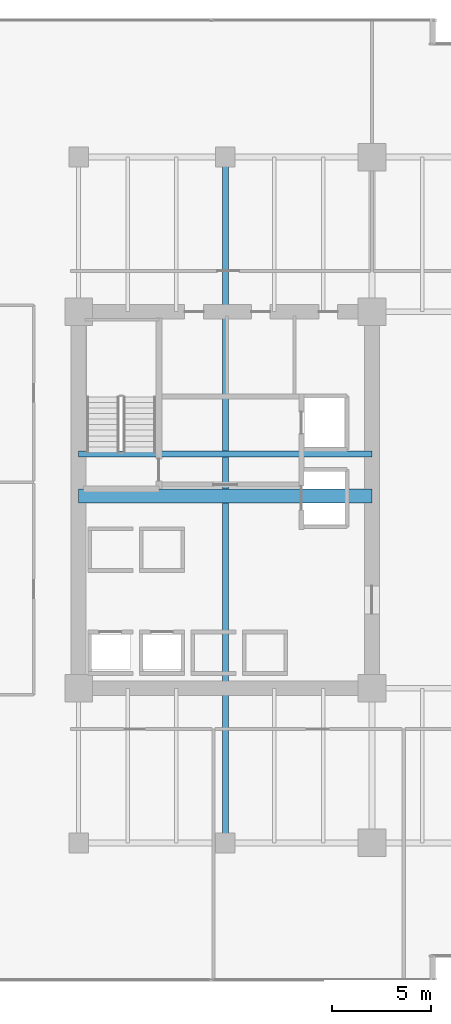
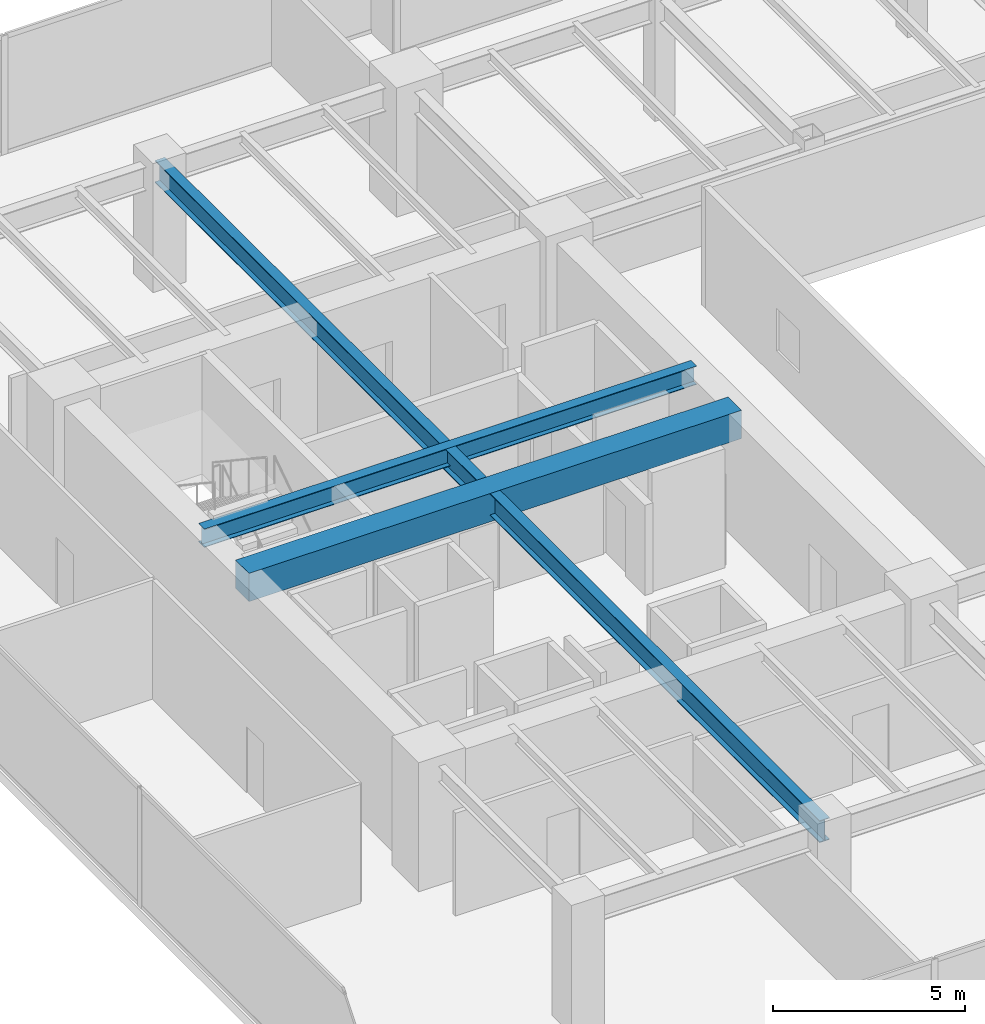
# One storey, part 7 of 35: 3 beams.
"""IFC4 building model written with IfcOpenShell, lengths in metres."""

import ifcopenshell
import ifcopenshell.guid

model = None  # the IFC model being written
_history = None  # IfcOwnerHistory: only IFC2X3 demands one
_inside = {}  # id of a spatial element -> (the spatial element, [elements in it])
_under = {}  # id of a project, library or spatial element -> (it, [spatial elements below it])
_declared = {}  # id of a project -> (the project, [libraries it declares])
_typed = {}  # id of a type object -> (the type object, [elements of that type])
_made_of = {}  # id of a material, layer set ... -> (it, [elements and type objects made of it])


def new_model(schema):
    """Start an empty IFC model of exactly this schema.

    Asked for "IFC4X3", IfcOpenShell would pick the latest addendum, in which some entities
    have other attributes; the version numbers below select the first issue.
    IFC2X3 requires an IfcOwnerHistory on every rooted entity: one is made here for all.
    """
    global model, _history
    if schema == "IFC4X3":
        model = ifcopenshell.file(schema_version=(4, 3, 0, 0))
    else:
        model = ifcopenshell.file(schema=schema)
    _inside.clear()
    _under.clear()
    _declared.clear()
    _typed.clear()
    _made_of.clear()
    _history = None
    if model.schema == "IFC2X3":
        org = make("IfcOrganization", Name="unknown")
        user = make(
            "IfcPersonAndOrganization",
            ThePerson=make("IfcPerson", FamilyName="unknown"),
            TheOrganization=org,
        )
        app = make(
            "IfcApplication",
            ApplicationDeveloper=org,
            Version="unknown",
            ApplicationFullName="unknown",
            ApplicationIdentifier="unknown",
        )
        _history = make(
            "IfcOwnerHistory",
            OwningUser=user,
            OwningApplication=app,
            ChangeAction="ADDED",
            CreationDate=0,
        )
    return model


def make(cls, **values):
    """One entity of the class cls with the attributes given. An attribute that is None is left unset."""
    return model.create_entity(
        cls, **{name: value for name, value in values.items() if value is not None}
    )


def rooted(cls, **values):
    """An entity with a GlobalId (a new one), such as an element, a storey or a relation."""
    return make(cls, GlobalId=ifcopenshell.guid.new(), OwnerHistory=_history, **values)


def si_unit(unit_type, name, prefix=None):
    """IfcSIUnit, for example si_unit("LENGTHUNIT", "METRE", prefix="MILLI")."""
    return make("IfcSIUnit", UnitType=unit_type, Prefix=prefix, Name=name)


def assignment(units):
    """IfcUnitAssignment: the units of a project."""
    return None if units is None else make("IfcUnitAssignment", Units=units)


def point(xyz):
    """IfcCartesianPoint."""
    return None if xyz is None else make("IfcCartesianPoint", Coordinates=xyz)


def direction(xyz):
    """IfcDirection."""
    return None if xyz is None else make("IfcDirection", DirectionRatios=xyz)


def frame(location, z_axis=None, x_axis=None):
    """IfcAxis2Placement3D, a coordinate frame: its origin and axes. An axis left out is left unset."""
    return make(
        "IfcAxis2Placement3D",
        Location=point(location),
        Axis=direction(z_axis),
        RefDirection=direction(x_axis),
    )


def frame_2d(location, x_axis=None):
    """IfcAxis2Placement2D, a coordinate frame in the plane: its origin and x axis."""
    return make(
        "IfcAxis2Placement2D", Location=point(location), RefDirection=direction(x_axis)
    )


def origin():
    """The frame at (0, 0, 0) with its axes left unset."""
    return frame((0.0, 0.0, 0.0))


def origin_2d():
    """The frame at (0, 0) in the plane with its x axis left unset."""
    return frame_2d((0.0, 0.0))


def place(relative_to, where):
    """IfcLocalPlacement: puts the frame where relative to a parent placement (None: the world)."""
    return make(
        "IfcLocalPlacement", PlacementRelTo=relative_to, RelativePlacement=where
    )


def context(
    kind, dimensions, precision=None, world=None, true_north=None, identifier=None
):
    """IfcGeometricRepresentationContext, for example the 3D "Model" context."""
    return make(
        "IfcGeometricRepresentationContext",
        ContextIdentifier=identifier,
        ContextType=kind,
        CoordinateSpaceDimension=dimensions,
        Precision=precision,
        WorldCoordinateSystem=world,
        TrueNorth=true_north,
    )


def subcontext(parent, identifier, kind, view, scale=None):
    """IfcGeometricRepresentationSubContext, for example "Body" below "Model"."""
    return make(
        "IfcGeometricRepresentationSubContext",
        ContextIdentifier=identifier,
        ContextType=kind,
        ParentContext=parent,
        TargetScale=scale,
        TargetView=view,
    )


def project(units=None, contexts=None):
    """IfcProject with its units and contexts."""
    return rooted(
        "IfcProject",
        Name="project",
        RepresentationContexts=contexts,
        UnitsInContext=assignment(units),
    )


def spatial(cls, under=None, at=None, **own):
    """A site, building, storey or space (cls), placed at a placement, below another one or the project."""
    s = rooted(cls, ObjectPlacement=at, **own)
    if under is not None:
        _under.setdefault(under.id(), (under, []))[1].append(s)
    return s


def profile(cls, at=None, kind="AREA", **sizes):
    """A parametric profile (cls). Its sizes go by their IFC names, for example OverallWidth=200.0."""
    return make(cls, ProfileType=kind, Position=at, **sizes)


def rectangle(**sizes):
    """IfcRectangleProfileDef."""
    return profile("IfcRectangleProfileDef", **sizes)


def i_section(**sizes):
    """IfcIShapeProfileDef."""
    return profile("IfcIShapeProfileDef", **sizes)


def extrude(swept, where, along, depth):
    """IfcExtrudedAreaSolid: the profile swept, set in the frame where, extruded along a direction by depth."""
    return make(
        "IfcExtrudedAreaSolid",
        SweptArea=swept,
        Position=where,
        ExtrudedDirection=direction(along),
        Depth=depth,
    )


def shape(context_of_items, identifier, shape_type, items):
    """IfcShapeRepresentation: the items that make up one representation, for example the "Body"."""
    return make(
        "IfcShapeRepresentation",
        ContextOfItems=context_of_items,
        RepresentationIdentifier=identifier,
        RepresentationType=shape_type,
        Items=items,
    )


def source(mapping_origin, context_of_items, identifier, shape_type, items):
    """IfcRepresentationMap: a shape defined once, which mapped items show again and again."""
    return make(
        "IfcRepresentationMap",
        MappingOrigin=mapping_origin,
        MappedRepresentation=shape(context_of_items, identifier, shape_type, items),
    )


def transform(
    local_origin,
    x_axis=None,
    y_axis=None,
    z_axis=None,
    scale=None,
    scale2=None,
    scale3=None,
    uniform=True,
):
    """IfcCartesianTransformationOperator3D, or its non-uniform kind. x_axis, y_axis, z_axis: its Axis1, 2, 3."""
    if uniform:
        return make(
            "IfcCartesianTransformationOperator3D",
            Axis1=direction(x_axis),
            Axis2=direction(y_axis),
            LocalOrigin=point(local_origin),
            Scale=scale,
            Axis3=direction(z_axis),
        )
    return make(
        "IfcCartesianTransformationOperator3DnonUniform",
        Axis1=direction(x_axis),
        Axis2=direction(y_axis),
        LocalOrigin=point(local_origin),
        Scale=scale,
        Axis3=direction(z_axis),
        Scale2=scale2,
        Scale3=scale3,
    )


def mapped(mapping_source, mapping_target):
    """IfcMappedItem: shows the shape of a source again, moved by a transform."""
    return make(
        "IfcMappedItem", MappingSource=mapping_source, MappingTarget=mapping_target
    )


def material(Name=None, Category=None):
    """IfcMaterial."""
    return make("IfcMaterial", Name=Name, Category=Category)


def material_profile(
    of_material, cross_section, Name=None, Category=None, Priority=None
):
    """IfcMaterialProfile: a cross section and its material."""
    return make(
        "IfcMaterialProfile",
        Name=Name,
        Material=of_material,
        Profile=cross_section,
        Priority=Priority,
        Category=Category,
    )


def profile_set(profiles, Name=None, composite=None):
    """IfcMaterialProfileSet."""
    return make(
        "IfcMaterialProfileSet",
        Name=Name,
        MaterialProfiles=profiles,
        CompositeProfile=composite,
    )


def made_of(thing, what):
    """Note that an element or type object is made of a material, layer set ...; save() writes the relation."""
    if what is not None:
        _made_of.setdefault(what.id(), (what, []))[1].append(thing)
    return thing


def type_object(cls, material=None, **own):
    """A type object (cls), such as IfcWallType, which elements share."""
    return made_of(rooted(cls, **own), material)


def type_shapes(of_type, sources):
    """Give a type object the sources (RepresentationMaps) that its elements show as mapped items."""
    of_type.RepresentationMaps = sources


def element(
    cls,
    number,
    at=None,
    inside=None,
    cuts=None,
    type_object=None,
    material=None,
    context=None,
    identifier="Body",
    shape_type=None,
    held_by="IfcProductDefinitionShape",
    body=None,
    shapes=None,
    **own,
):
    """One element of the class cls, such as IfcWall. Its Tag is "e" and its number.

    at: its placement. inside: the storey or other place that contains it. cuts: it is an
    opening in that element (IfcRelVoidsElement). A single representation is given by context,
    identifier, shape_type and body (its items); several are given by shapes. held_by: the class
    of the entity that holds the representations. save() writes the other relations.
    """
    e = rooted(cls, Tag="e%d" % number, ObjectPlacement=at, **own)
    if body is not None:
        shapes = [shape(context, identifier, shape_type, body)]
    if shapes is not None:
        e.Representation = make(held_by, Representations=shapes)
    if inside is not None:
        _inside.setdefault(inside.id(), (inside, []))[1].append(e)
    if cuts is not None:
        rooted(
            "IfcRelVoidsElement", RelatingBuildingElement=cuts, RelatedOpeningElement=e
        )
    if type_object is not None:
        _typed.setdefault(type_object.id(), (type_object, []))[1].append(e)
    return made_of(e, material)


def aggregate(whole, parts):
    """IfcRelAggregates: a whole, such as a stair, and the parts it consists of."""
    return rooted("IfcRelAggregates", RelatingObject=whole, RelatedObjects=parts)


def save(model, path):
    """Write the relations noted so far, then the file.

    IfcRelAggregates (storeys below a building ...), IfcRelContainedInSpatialStructure (elements
    in a storey), IfcRelDefinesByType, IfcRelAssociatesMaterial and IfcRelDeclares: one each for
    every whole, place, type object, material and project.
    """
    for whole, parts in _under.values():
        aggregate(whole, parts)
    for where, things in _inside.values():
        rooted(
            "IfcRelContainedInSpatialStructure",
            RelatedElements=things,
            RelatingStructure=where,
        )
    for kind, things in _typed.values():
        rooted("IfcRelDefinesByType", RelatedObjects=things, RelatingType=kind)
    for what, things in _made_of.values():
        rooted("IfcRelAssociatesMaterial", RelatedObjects=things, RelatingMaterial=what)
    for by, libraries in _declared.values():
        rooted("IfcRelDeclares", RelatingContext=by, RelatedDefinitions=libraries)
    model.write(path)


model = new_model("IFC4")

# Units and contexts
model_context = context("Model", 3, precision=1e-05, world=origin(), true_north=direction((0.0, 1.0)))
body_context = subcontext(model_context, "Body", "Model", "MODEL_VIEW")
ifc_project = project(units=[si_unit("LENGTHUNIT", "METRE"), si_unit("AREAUNIT", "SQUARE_METRE"), si_unit("VOLUMEUNIT", "CUBIC_METRE"), si_unit("PLANEANGLEUNIT", "RADIAN"), si_unit("MASSUNIT", "GRAM", prefix="KILO")], contexts=[model_context])

# Site, building, storey
site_placement = place(None, origin())
site = spatial("IfcSite", under=ifc_project, at=site_placement, CompositionType="ELEMENT")
building_placement = place(site_placement, origin())
building = spatial("IfcBuilding", under=site, at=building_placement, Name="Haelvirn Gate Laboratories", CompositionType="ELEMENT")
storey_placement = place(building_placement, frame((0.0, 0.0, 45.699951171875)))
storey = spatial("IfcBuildingStorey", under=building, at=storey_placement, Name="L11", CompositionType="ELEMENT", Elevation=45.699951171875)

# Beams
ifc_material_1 = material(Name="Concrete C60/75", Category="concrete")
ifc_material_profile_1 = material_profile(ifc_material_1, rectangle(XDim=0.699951171875, YDim=0.89990234375, at=origin_2d()), Name="RCB-700x900")
ifc_profile_set_1 = profile_set([ifc_material_profile_1], Name="Concrete C60/75")
beam_type_1 = type_object("IfcBeamType", Name="BM-RCB-900", PredefinedType="LINTEL", material=ifc_profile_set_1)
shared_shape_1 = source(origin(), body_context, "Body", "SweptSolid", [
    extrude(rectangle(XDim=0.699951171875, YDim=0.89990234375, at=origin_2d()), origin(), (0.0, 0.0, 1.0), 14.800048828125),
])
type_shapes(beam_type_1, [shared_shape_1])
beam_1_placement = place(storey_placement, frame((7.39990234375, 24.5, 3.330078125), z_axis=(1.0, 0.0, 0.0), x_axis=(0.0, 1.0, 0.0)))
element("IfcBeam", 1, at=beam_1_placement, inside=storey, type_object=beam_type_1, Name="L11 West Core Coupling Beam", PredefinedType="LINTEL", context=body_context, shape_type="MappedRepresentation", body=[
    mapped(shared_shape_1, transform((0.0, 0.0, 0.0), scale=1.0)),
])
ifc_material_2 = material(Name="Steel SM355", Category="steel")
ifc_material_profile_2 = material_profile(ifc_material_2, i_section(OverallWidth=0.300048828125, OverallDepth=0.587890625, WebThickness=0.011962890625, FlangeThickness=0.02001953125, at=origin_2d()), Name="H-588x300x12x20")
ifc_profile_set_2 = profile_set([ifc_material_profile_2], Name="Steel SM355")
beam_type_2 = type_object("IfcBeamType", Name="BM-G-588", PredefinedType="BEAM", material=ifc_profile_set_2)
shared_shape_2 = source(origin(), body_context, "Body", "SweptSolid", [
    extrude(i_section(OverallWidth=0.300048828125, OverallDepth=0.587890625, WebThickness=0.011962890625, FlangeThickness=0.02001953125, at=origin_2d()), origin(), (0.0, 0.0, 1.0), 14.800048828125),
])
type_shapes(beam_type_2, [shared_shape_2])
beam_2_placement = place(storey_placement, frame((7.39990234375, 26.6201171875, 3.486083984375), z_axis=(1.0, 0.0, 0.0), x_axis=(0.0, 1.0, 0.0)))
element("IfcBeam", 2, at=beam_2_placement, inside=storey, type_object=beam_type_2, Name="L11 Stair ST1 Landing Header", PredefinedType="BEAM", context=body_context, shape_type="MappedRepresentation", body=[
    mapped(shared_shape_2, transform((0.0, 0.0, 0.0), scale=1.0)),
])
ifc_material_profile_3 = material_profile(ifc_material_2, i_section(OverallWidth=0.300048828125, OverallDepth=0.699951171875, WebThickness=0.012939453125, FlangeThickness=0.02392578125, at=origin_2d()), Name="H-700x300x13x24")
ifc_profile_set_3 = profile_set([ifc_material_profile_3], Name="Steel SM355")
beam_type_3 = type_object("IfcBeamType", Name="BM-G-700", PredefinedType="BEAM", material=ifc_profile_set_3)
shared_shape_3 = source(origin(), body_context, "Body", "SweptSolid", [
    extrude(i_section(OverallWidth=0.300048828125, OverallDepth=0.699951171875, WebThickness=0.012939453125, FlangeThickness=0.02392578125, at=origin_2d()), origin(), (0.0, 0.0, 1.0), 34.60009765625),
])
type_shapes(beam_type_3, [shared_shape_3])
beam_3_placement = place(storey_placement, frame((14.800048828125, 7.0, 3.429931640625), z_axis=(0.0, 1.0, 0.0), x_axis=(-1.0, 0.0, 0.0)))
element("IfcBeam", 3, at=beam_3_placement, inside=storey, type_object=beam_type_3, Name="L11 Frame Girder X14.8 (7.0-41.6)", PredefinedType="BEAM", context=body_context, shape_type="MappedRepresentation", body=[
    mapped(shared_shape_3, transform((0.0, 0.0, 0.0), scale=1.0)),
])

save(model, "model.ifc")
